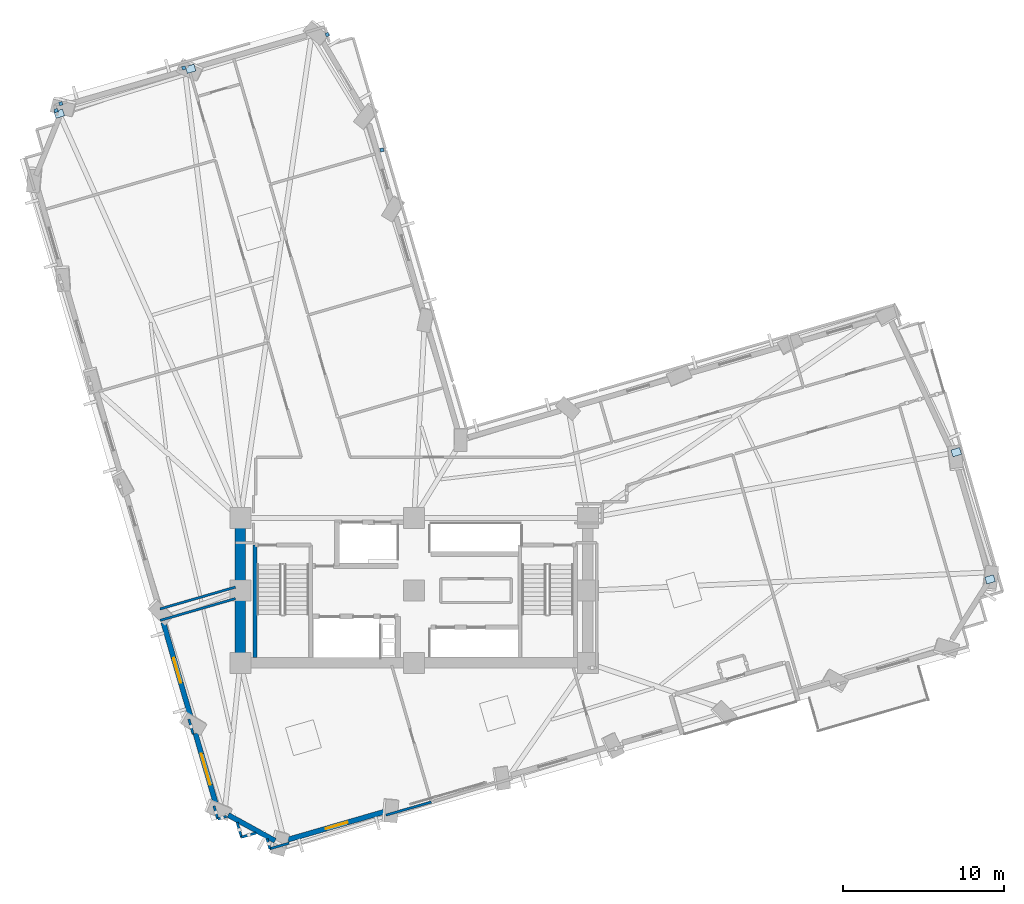
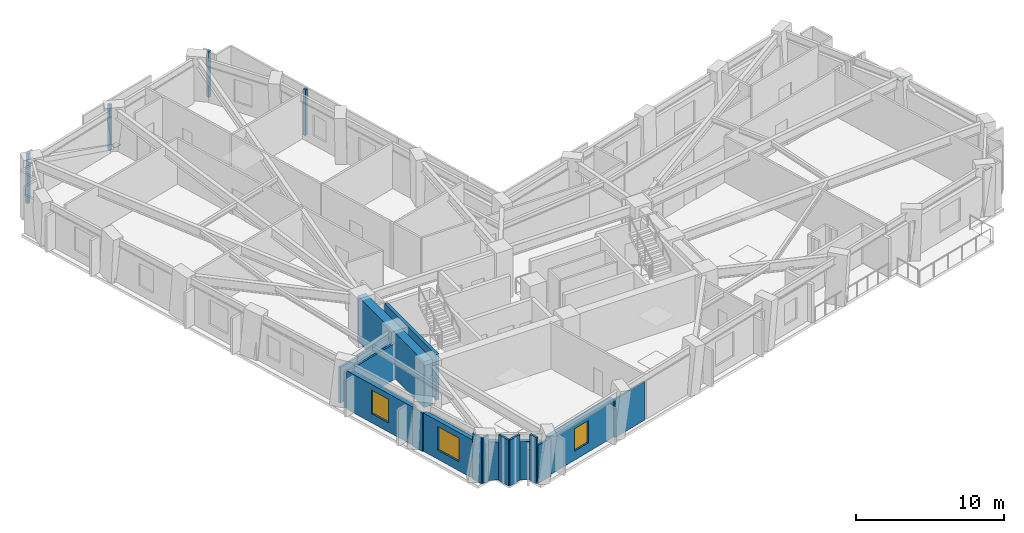
# One storey, part 7 of 15: 16 walls, 9 plates, 3 windows, 3 openings.
"""IFC4 building model written with IfcOpenShell, lengths in metres."""

from ifc_helpers import new_model, si_unit, direction, frame, frame_2d, origin, origin_2d, place, context, subcontext, project, spatial, rectangle, extrude, material, layer, layer_set, type_object, element, fill, save


model = new_model("IFC4")

# Units and contexts
model_context = context("Model", 3, precision=1e-05, world=origin(), true_north=direction((0.0, 1.0)))
body_context = subcontext(model_context, "Body", "Model", "MODEL_VIEW")
ifc_project = project(units=[si_unit("LENGTHUNIT", "METRE"), si_unit("AREAUNIT", "SQUARE_METRE"), si_unit("VOLUMEUNIT", "CUBIC_METRE"), si_unit("PLANEANGLEUNIT", "RADIAN"), si_unit("MASSUNIT", "GRAM", prefix="KILO")], contexts=[model_context])

# Site, building, storey
site_placement = place(None, origin())
site = spatial("IfcSite", under=ifc_project, at=site_placement, CompositionType="ELEMENT")
building_placement = place(site_placement, origin())
building = spatial("IfcBuilding", under=site, at=building_placement, Name="Gaonmaruhae Medical Tower", CompositionType="ELEMENT")
storey_placement = place(building_placement, frame((0.0, 0.0, 92.39990234375)))
storey = spatial("IfcBuildingStorey", under=building, at=storey_placement, Name="L21", CompositionType="ELEMENT", Elevation=92.39990234375)

# Plates
ifc_material_1 = material(Name="Steel HSA650 (650 MPa)", Category="steel")
ifc_layer_1 = layer(ifc_material_1, 0.028076171875)
ifc_layer_set_1 = layer_set([ifc_layer_1], Name="Steel HSA650 (650 MPa)")
plate_type_1 = type_object("IfcPlateType", Name="GP-02 Tube Brace End Cap Gusset Plate", PredefinedType="USERDEFINED", material=ifc_layer_set_1)
for number, where, z_axis, x_axis, name in (
    (1, (60.599365234375, 12.994140625, 0.23583984375), (0.0, 0.0, 1.0), (0.960536785663, 0.278152985584, 0.0), "L21 Gusset Cap Plate PLT-L21-PBR-E01A"),
    (2, (58.497802734375, 20.8984375, 3.51611328125), (0.0, 0.0, 1.0), (0.955793014798, 0.294040325232, 0.0), "L21 Gusset Cap Plate PLT-L21-PBR-E01B"),
    (3, (10.912353515625, 44.7255859375, 0.23583984375), (0.0, 0.0, 1.0), (0.960536785663, 0.278152985584, 0.0), "L21 Gusset Cap Plate PLT-L21-PBR-N02A"),
    (4, (2.74755859375, 41.935546875, 3.51611328125), (0.0, 0.0, 1.0), (0.955793014798, 0.294040325232, 0.0), "L21 Gusset Cap Plate PLT-L21-PBR-N02B"),
):
    element("IfcPlate", number, at=place(storey_placement, frame(where, z_axis=z_axis, x_axis=x_axis)), inside=storey, type_object=plate_type_1, Name=name, ObjectType="GUSSET_PLATE", PredefinedType="USERDEFINED", context=body_context, shape_type="SweptSolid", body=[
        extrude(rectangle(XDim=0.56005859375, YDim=0.43994140625, at=origin_2d()), origin(), (0.0, 0.0, 1.0), 0.028076171875),
    ])
ifc_material_2 = material(Name="Anodised aluminium 6063-T6", Category="aluminium")
ifc_layer_2 = layer(ifc_material_2, 0.011962890625)
ifc_layer_set_2 = layer_set([ifc_layer_2], Name="Anodised aluminium 6063-T6")
plate_type_2 = type_object("IfcPlateType", Name="PP-01 Interior Partition Corner Stiffener Plate", PredefinedType="SHEET", material=ifc_layer_set_2)
plate_placement = place(storey_placement, frame((2.553466796875, 42.132080078125, 0.0), z_axis=(0.0, 0.0, 1.0), x_axis=(-0.278052396882, 0.960565908508, 0.0)))
element("IfcPlate", 5, at=plate_placement, inside=storey, type_object=plate_type_2, Name="L21 Partition Corner Stiffener Plate PLT-L21-JGP-PW050", PredefinedType="SHEET", context=body_context, shape_type="SweptSolid", body=[
    extrude(rectangle(XDim=0.219970703125, YDim=0.219970703125, at=origin_2d()), origin(), (0.0, 0.0, 1.0), 2.965087890625),
])
for number, where, z_axis, x_axis, name in (
    (6, (2.841064453125, 42.5654296875, 0.0), (0.0, 0.0, 1.0), (0.960420188948, 0.278555309877, 0.0), "L21 Partition Corner Stiffener Plate PLT-L21-JGP-PW051"),
    (7, (10.487060546875, 44.779541015625, 0.0), (0.0, 0.0, 1.0), (0.96068229455, 0.277650011593, 0.0), "L21 Partition Corner Stiffener Plate PLT-L21-JGP-PW052"),
    (8, (22.801513671875, 39.68359375, 0.0), (0.0, 0.0, 1.0), (-0.961006313405, -0.276526428386, 0.0), "L21 Partition Corner Stiffener Plate PLT-L21-JGP-PW080"),
    (9, (19.405029296875, 46.8544921875, 0.0), (0.0, 0.0, 1.0), (0.277599710005, -0.960696830954, 0.0), "L21 Partition Corner Stiffener Plate PLT-L21-JGP-PW083"),
):
    element("IfcPlate", number, at=place(storey_placement, frame(where, z_axis=z_axis, x_axis=x_axis)), inside=storey, type_object=plate_type_2, Name=name, PredefinedType="SHEET", context=body_context, shape_type="SweptSolid", body=[
        extrude(rectangle(XDim=0.219970703125, YDim=0.219970703125, at=origin_2d()), origin(), (0.0, 0.0, 1.0), 3.780029296875),
    ])

# Wall
ifc_material_3 = material(Name="Concrete C60/75", Category="concrete")
ifc_layer_3 = layer(ifc_material_3, 0.64990234375)
ifc_layer_set_3 = layer_set([ifc_layer_3], Name="Concrete C60/75")
wall_type_1 = type_object("IfcWallType", Name="CW-650 Zone 2 Core Shear Wall", PredefinedType="SHEAR", material=ifc_layer_set_3)
wall_1_placement = place(storey_placement, frame((14.0, 16.800048828125, 0.0), z_axis=(0.0, 0.0, 1.0), x_axis=(0.0, -1.0, 0.0)))
element("IfcWall", 10, at=wall_1_placement, inside=storey, type_object=wall_type_1, Name="L21 Core Shear Wall CSW-W1", PredefinedType="SHEAR", context=body_context, shape_type="SweptSolid", body=[
    extrude(rectangle(XDim=9.0, YDim=0.64990234375, at=frame_2d((4.5, 0.0))), origin(), (0.0, 0.0, 1.0), 3.780029296875),
])

# Wall, opening, window
ifc_material_4 = material(Name="Precast concrete C45/55", Category="concrete")
ifc_layer_4 = layer(ifc_material_4, 0.320068359375)
ifc_layer_set_4 = layer_set([ifc_layer_4], Name="Precast concrete C45/55")
wall_type_2 = type_object("IfcWallType", Name="EW-320 Lower Precast Masonry-Frame Facade Wall", PredefinedType="SOLIDWALL", material=ifc_layer_set_4)
wall_2_placement = place(storey_placement, frame((22.989013671875, -1.43701171875, 0.0), z_axis=(0.0, 0.0, 1.0), x_axis=(-0.960540723565, -0.278139386591, 0.0)))
wall_2 = element("IfcWall", 11, at=wall_2_placement, inside=storey, type_object=wall_type_2, Name="L21 Precast Masonry-Frame Wall S01-S02", PredefinedType="SOLIDWALL", context=body_context, shape_type="SweptSolid", body=[
    extrude(rectangle(XDim=6.269775390625, YDim=0.320068359375, at=frame_2d((3.134765625, 0.0))), origin(), (0.0, 0.0, 1.0), 3.1650390625),
])
opening_1_placement = place(wall_2_placement, frame((2.429443359375, 0.0, 0.75)))
opening_1 = element("IfcOpeningElement", 12, at=opening_1_placement, cuts=wall_2, Name="Opening WN-03", PredefinedType="OPENING", context=body_context, shape_type="SweptSolid", body=[
    extrude(rectangle(XDim=1.39990234375, YDim=1.85009765625, at=frame_2d((0.699951171875, 0.925048828125))), frame((0.0, 0.169921875, 0.0), z_axis=(0.0, -1.0, 0.0), x_axis=(1.0, 0.0, 0.0)), (0.0, 0.0, 1.0), 0.340087890625),
])
ifc_material_5 = material(Name="Anodised aluminium and Low-E double glazing", Category="aluminium")
window_type_1 = type_object("IfcWindowType", Name="WN-03 Isolation Ward Punched Window 1400x1850", PartitioningType="SINGLE_PANEL", PredefinedType="WINDOW", material=ifc_material_5)
window_1_placement = place(opening_1_placement, origin())
window_1 = element("IfcWindow", 13, at=window_1_placement, inside=storey, type_object=window_type_1, Name="L21 Modular Facade Window S01", OverallHeight=1.85009765625, OverallWidth=1.39990234375, PartitioningType="SINGLE_PANEL", PredefinedType="WINDOW", context=body_context, shape_type="SweptSolid", body=[
    extrude(rectangle(XDim=1.39990234375, YDim=1.85009765625, at=frame_2d((0.699951171875, 0.925048828125))), frame((0.0, 0.030029296875, 0.0), z_axis=(0.0, -1.0, 0.0), x_axis=(1.0, 0.0, 0.0)), (0.0, 0.0, 1.0), 0.06005859375),
])
fill(opening_1, window_1)

wall_3_placement = place(storey_placement, frame((10.94482421875, 4.347412109375, 0.0), z_axis=(0.0, 0.0, 1.0), x_axis=(-0.278128561381, 0.960543858106, 0.0)))
wall_3 = element("IfcWall", 14, at=wall_3_placement, inside=storey, type_object=wall_type_2, Name="L21 Precast Masonry-Frame Wall W05-W06", PredefinedType="SOLIDWALL", context=body_context, shape_type="SweptSolid", body=[
    extrude(rectangle(XDim=6.2236328125, YDim=0.320068359375, at=frame_2d((3.11181640625, 0.0))), origin(), (0.0, 0.0, 1.0), 3.1650390625),
])
opening_2_placement = place(wall_3_placement, frame((2.314208984375, 0.0, 0.75)))
opening_2 = element("IfcOpeningElement", 15, at=opening_2_placement, cuts=wall_3, Name="Opening WN-01", PredefinedType="OPENING", context=body_context, shape_type="SweptSolid", body=[
    extrude(rectangle(XDim=1.60009765625, YDim=1.949951171875, at=frame_2d((0.800048828125, 0.97509765625))), frame((0.0, 0.169921875, 0.0), z_axis=(0.0, -1.0, 0.0), x_axis=(1.0, 0.0, 0.0)), (0.0, 0.0, 1.0), 0.340087890625),
])
window_type_2 = type_object("IfcWindowType", Name="WN-01 Ward Punched Acoustic Window 1600x1950", PartitioningType="SINGLE_PANEL", PredefinedType="WINDOW", material=ifc_material_5)
window_2_placement = place(opening_2_placement, origin())
window_2 = element("IfcWindow", 16, at=window_2_placement, inside=storey, type_object=window_type_2, Name="L21 Modular Facade Window W05", OverallHeight=1.949951171875, OverallWidth=1.60009765625, PartitioningType="SINGLE_PANEL", PredefinedType="WINDOW", context=body_context, shape_type="SweptSolid", body=[
    extrude(rectangle(XDim=1.60009765625, YDim=1.949951171875, at=frame_2d((0.800048828125, 0.97509765625))), frame((0.0, 0.030029296875, 0.0), z_axis=(0.0, -1.0, 0.0), x_axis=(1.0, 0.0, 0.0)), (0.0, 0.0, 1.0), 0.06005859375),
])
fill(opening_2, window_2)

wall_4_placement = place(storey_placement, frame((12.506103515625, -1.044189453125, 0.0), z_axis=(0.0, 0.0, 1.0), x_axis=(-0.278153739365, 0.960536567382, 0.0)))
wall_4 = element("IfcWall", 17, at=wall_4_placement, inside=storey, type_object=wall_type_2, Name="L21 Precast Masonry-Frame Wall W06-W07", PredefinedType="SOLIDWALL", context=body_context, shape_type="SweptSolid", body=[
    extrude(rectangle(XDim=4.6474609375, YDim=0.320068359375, at=frame_2d((2.32373046875, 0.0))), origin(), (0.0, 0.0, 1.0), 3.1650390625),
])
opening_3_placement = place(wall_4_placement, frame((1.3271484375, 0.0, 0.75)))
opening_3 = element("IfcOpeningElement", 18, at=opening_3_placement, cuts=wall_4, Name="Opening WN-02", PredefinedType="OPENING", context=body_context, shape_type="SweptSolid", body=[
    extrude(rectangle(XDim=2.0, YDim=1.949951171875, at=frame_2d((1.0, 0.97509765625))), frame((0.0, 0.169921875, 0.0), z_axis=(0.0, -1.0, 0.0), x_axis=(1.0, 0.0, 0.0)), (0.0, 0.0, 1.0), 0.340087890625),
])
window_type_3 = type_object("IfcWindowType", Name="WN-02 Double-Bed Ward Punched Window 2000x1950", PartitioningType="SINGLE_PANEL", PredefinedType="WINDOW", material=ifc_material_5)
window_3_placement = place(opening_3_placement, origin())
window_3 = element("IfcWindow", 19, at=window_3_placement, inside=storey, type_object=window_type_3, Name="L21 Modular Facade Window W06", OverallHeight=1.949951171875, OverallWidth=2.0, PartitioningType="SINGLE_PANEL", PredefinedType="WINDOW", context=body_context, shape_type="SweptSolid", body=[
    extrude(rectangle(XDim=2.0, YDim=1.949951171875, at=frame_2d((1.0, 0.97509765625))), frame((0.0, 0.030029296875, 0.0), z_axis=(0.0, -1.0, 0.0), x_axis=(1.0, 0.0, 0.0)), (0.0, 0.0, 1.0), 0.06005859375),
])
fill(opening_3, window_3)

# Walls
wall_5_placement = place(storey_placement, frame((16.156982421875, -3.25146484375, 0.0), z_axis=(0.0, 0.0, 1.0), x_axis=(-0.875908595366, 0.482477079833, 0.0)))
element("IfcWall", 20, at=wall_5_placement, inside=storey, type_object=wall_type_2, Name="L21 Precast Masonry-Frame Wall W07-S01", PredefinedType="SOLIDWALL", context=body_context, shape_type="SweptSolid", body=[
    extrude(rectangle(XDim=3.322998046875, YDim=0.320068359375, at=frame_2d((1.66162109375, 0.0))), origin(), (0.0, 0.0, 1.0), 3.1650390625),
])
ifc_material_6 = material(Name="Gypsum board partition", Category="gypsum")
ifc_layer_5 = layer(ifc_material_6, 0.14990234375)
ifc_layer_set_5 = layer_set([ifc_layer_5], Name="Gypsum board partition")
wall_type_3 = type_object("IfcWallType", Name="PW-150 Rated Clinical Corridor Partition", PredefinedType="PARTITIONING", material=ifc_layer_set_5)
wall_6_placement = place(storey_placement, frame((9.02197265625, 10.447021484375, 0.0), z_axis=(0.0, 0.0, 1.0), x_axis=(0.960518799293, 0.278215089822, 0.0)))
element("IfcWall", 21, at=wall_6_placement, inside=storey, type_object=wall_type_3, Name="L21 Interior Partition L21-SUP01-5", PredefinedType="PARTITIONING", context=body_context, shape_type="SweptSolid", body=[
    extrude(rectangle(XDim=4.870361328125, YDim=0.14990234375, at=frame_2d((2.43505859375, 0.0))), origin(), (0.0, 0.0, 1.0), 2.965087890625),
])
wall_7_placement = place(storey_placement, frame((25.866943359375, -0.843017578125, 0.0), z_axis=(0.0, 0.0, 1.0), x_axis=(-0.960530283863, -0.278175437058, 0.0)))
element("IfcWall", 22, at=wall_7_placement, inside=storey, type_object=wall_type_3, Name="L21 Interior Partition L21-SUP01-7", PredefinedType="PARTITIONING", context=body_context, shape_type="SweptSolid", body=[
    extrude(rectangle(XDim=2.9296875, YDim=0.14990234375, at=frame_2d((1.46484375, 0.0))), origin(), (0.0, 0.0, 1.0), 3.1650390625),
])
wall_8_placement = place(storey_placement, frame((17.031005859375, -3.402099609375, 0.0), z_axis=(0.0, 0.0, 1.0), x_axis=(-0.960575327395, -0.278019856126, 0.0)))
element("IfcWall", 23, at=wall_8_placement, inside=storey, type_object=wall_type_3, Name="L21 Interior Partition L21-SUP01-8", PredefinedType="PARTITIONING", context=body_context, shape_type="SweptSolid", body=[
    extrude(rectangle(XDim=1.24072265625, YDim=0.14990234375, at=frame_2d((0.620361328125, 0.0))), origin(), (0.0, 0.0, 1.0), 3.1650390625),
])
wall_9_placement = place(storey_placement, frame((15.839111328125, -3.7470703125, 0.0), z_axis=(0.0, 0.0, 1.0), x_axis=(-0.278753392683, 0.960362715888, 0.0)))
element("IfcWall", 24, at=wall_9_placement, inside=storey, type_object=wall_type_3, Name="L21 Interior Partition L21-SUP01-9", PredefinedType="PARTITIONING", context=body_context, shape_type="SweptSolid", body=[
    extrude(rectangle(XDim=0.639404296875, YDim=0.14990234375, at=frame_2d((0.31982421875, 0.0))), origin(), (0.0, 0.0, 1.0), 3.780029296875),
])
wall_10_placement = place(storey_placement, frame((14.990966796875, -2.762939453125, 0.0), z_axis=(0.0, 0.0, 1.0), x_axis=(-0.96042096502, -0.278552634075, 0.0)))
element("IfcWall", 25, at=wall_10_placement, inside=storey, type_object=wall_type_3, Name="L21 Interior Partition L21-SUP01-10", PredefinedType="PARTITIONING", context=body_context, shape_type="SweptSolid", body=[
    extrude(rectangle(XDim=0.958740234375, YDim=0.14990234375, at=frame_2d((0.4794921875, 0.0))), origin(), (0.0, 0.0, 1.0), 3.780029296875),
])
wall_11_placement = place(storey_placement, frame((14.070068359375, -3.030029296875, 0.0), z_axis=(0.0, 0.0, 1.0), x_axis=(-0.278484532505, 0.960440714024, 0.0)))
element("IfcWall", 26, at=wall_11_placement, inside=storey, type_object=wall_type_3, Name="L21 Interior Partition L21-SUP01-11", PredefinedType="PARTITIONING", context=body_context, shape_type="SweptSolid", body=[
    extrude(rectangle(XDim=0.958984375, YDim=0.14990234375, at=frame_2d((0.4794921875, 0.0))), origin(), (0.0, 0.0, 1.0), 3.780029296875),
])
wall_12_placement = place(storey_placement, frame((13.14501953125, -1.737060546875, 0.0), z_axis=(0.0, 0.0, 1.0), x_axis=(-0.960434860607, -0.278504719045, 0.0)))
element("IfcWall", 27, at=wall_12_placement, inside=storey, type_object=wall_type_3, Name="L21 Interior Partition L21-SUP01-12", PredefinedType="PARTITIONING", context=body_context, shape_type="SweptSolid", body=[
    extrude(rectangle(XDim=0.570556640625, YDim=0.14990234375, at=frame_2d((0.28515625, 0.0))), origin(), (0.0, 0.0, 1.0), 3.780029296875),
])
wall_13_placement = place(storey_placement, frame((12.596923828125, -1.89599609375, 0.0), z_axis=(0.0, 0.0, 1.0), x_axis=(-0.278465707555, 0.960446172212, 0.0)))
element("IfcWall", 28, at=wall_13_placement, inside=storey, type_object=wall_type_3, Name="L21 Interior Partition L21-SUP01-13", PredefinedType="PARTITIONING", context=body_context, shape_type="SweptSolid", body=[
    extrude(rectangle(XDim=0.843505859375, YDim=0.14990234375, at=frame_2d((0.421875, 0.0))), origin(), (0.0, 0.0, 1.0), 3.780029296875),
])
wall_14_placement = place(storey_placement, frame((11.069091796875, 3.3779296875, 0.0), z_axis=(0.0, 0.0, 1.0), x_axis=(-0.277524100453, 0.960718675611, 0.0)))
element("IfcWall", 29, at=wall_14_placement, inside=storey, type_object=wall_type_3, Name="L21 Interior Partition L21-SUP01-14", PredefinedType="PARTITIONING", context=body_context, shape_type="SweptSolid", body=[
    extrude(rectangle(XDim=0.9658203125, YDim=0.14990234375, at=frame_2d((0.48291015625, 0.0))), origin(), (0.0, 0.0, 1.0), 3.1650390625),
])
wall_15_placement = place(storey_placement, frame((13.699951171875, 12.514892578125, 0.0), z_axis=(0.0, 0.0, 1.0), x_axis=(-0.960556538394, -0.278084765042, 0.0)))
element("IfcWall", 30, at=wall_15_placement, inside=storey, type_object=wall_type_3, Name="L21 Interior Partition L21-WOF05-40", PredefinedType="PARTITIONING", context=body_context, shape_type="SweptSolid", body=[
    extrude(rectangle(XDim=4.886474609375, YDim=0.14990234375, at=frame_2d((2.443359375, 0.0))), origin(), (0.0, 0.0, 1.0), 2.965087890625),
])
ifc_material_7 = material(Name="Concrete C50/60", Category="concrete")
ifc_layer_6 = layer(ifc_material_7, 0.239990234375)
ifc_layer_set_6 = layer_set([ifc_layer_6], Name="Concrete C50/60")
wall_type_4 = type_object("IfcWallType", Name="SW-240 Dogleg Stair Tight Shaft Wall", PredefinedType="SOLIDWALL", material=ifc_layer_set_6)
wall_16_placement = place(storey_placement, frame((14.919921875, 8.125, 0.0), z_axis=(0.0, 0.0, 1.0), x_axis=(0.0, 1.0, 0.0)))
element("IfcWall", 31, at=wall_16_placement, inside=storey, type_object=wall_type_4, Name="L21 ST-01 Stair Shaft Wall SHW-ST-01-W", PredefinedType="SOLIDWALL", context=body_context, shape_type="SweptSolid", body=[
    extrude(rectangle(XDim=6.9951171875, YDim=0.239990234375, at=frame_2d((3.49755859375, 0.0))), origin(), (0.0, 0.0, 1.0), 3.780029296875),
])

save(model, "model.ifc")
